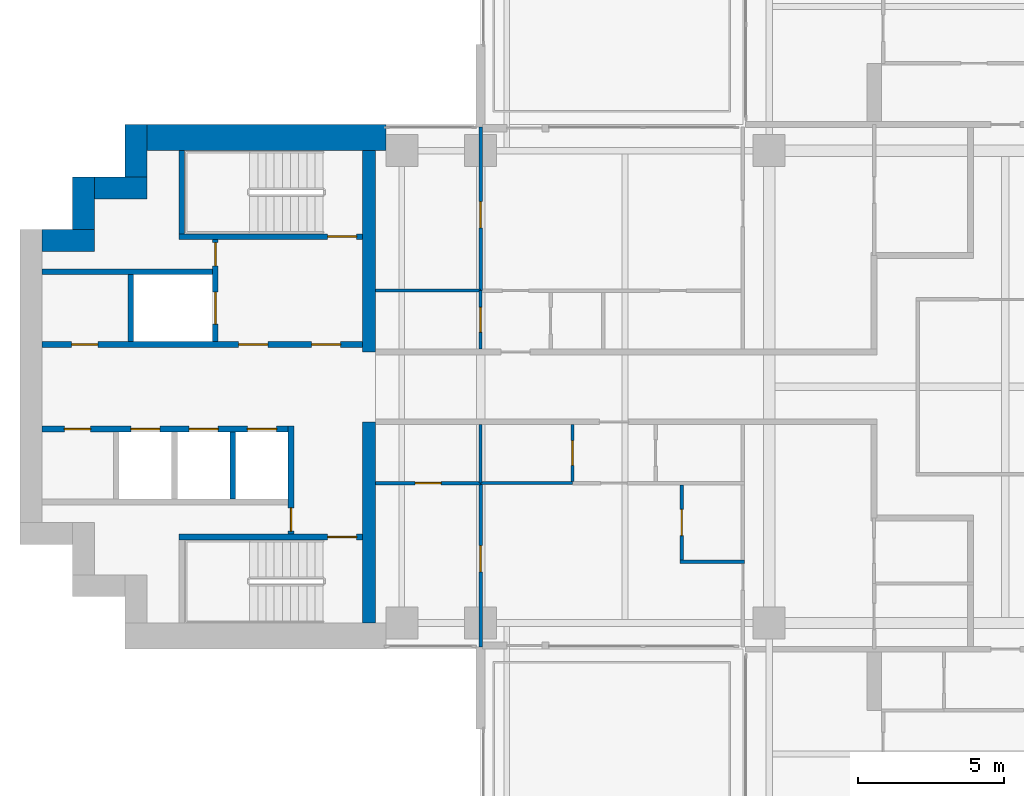
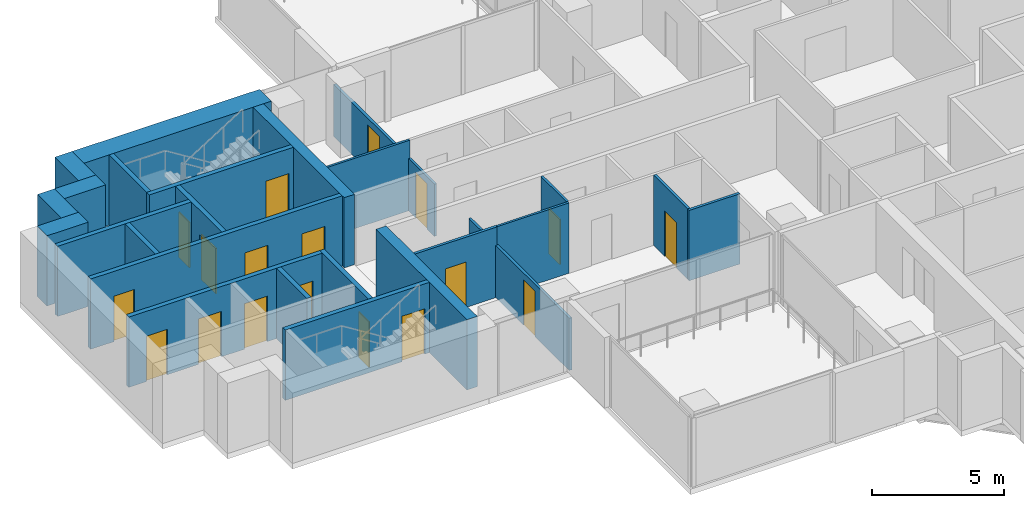
# One storey, part 9 of 19: 27 walls, 18 doors, 18 openings.
"""IFC4 building model written with IfcOpenShell, lengths in metres."""

from ifc_helpers import new_model, si_unit, direction, frame, frame_2d, origin, place, context, subcontext, project, spatial, rectangle, extrude, material, layer, layer_set, type_object, element, fill, save


model = new_model("IFC4")

# Units and contexts
model_context = context("Model", 3, precision=1e-05, world=origin(), true_north=direction((0.0, 1.0)))
body_context = subcontext(model_context, "Body", "Model", "MODEL_VIEW")
ifc_project = project(units=[si_unit("LENGTHUNIT", "METRE"), si_unit("AREAUNIT", "SQUARE_METRE"), si_unit("VOLUMEUNIT", "CUBIC_METRE"), si_unit("PLANEANGLEUNIT", "RADIAN"), si_unit("MASSUNIT", "GRAM", prefix="KILO")], contexts=[model_context])

# Site, building, storey
site_placement = place(None, origin())
site = spatial("IfcSite", under=ifc_project, at=site_placement, CompositionType="ELEMENT")
building_placement = place(site_placement, origin())
building = spatial("IfcBuilding", under=site, at=building_placement, Name="Perihelion Cross Residences", CompositionType="ELEMENT")
storey_placement = place(building_placement, frame((0.0, 0.0, 119.89990234375)))
storey = spatial("IfcBuildingStorey", under=building, at=storey_placement, Name="L28", CompositionType="ELEMENT", Elevation=119.89990234375)

# Walls
ifc_material_1 = material(Name="Concrete C60/75", Category="concrete")
ifc_layer_1 = layer(ifc_material_1, 0.449951171875)
ifc_layer_set_1 = layer_set([ifc_layer_1], Name="Core wall, inner 450")
wall_type_1 = type_object("IfcWallType", Name="Core wall, inner 450", PredefinedType="SHEAR", material=ifc_layer_set_1)
for number, where, z_axis, x_axis, name in (
    (1, (-21.824951171875, -8.10009765625, 0.0), (0.0, 0.0, 1.0), (0.0, 1.0, 0.0), "West core core wall, inner"),
    (2, (-21.824951171875, 1.199951171875, 0.0), (0.0, 0.0, 1.0), (0.0, 1.0, 0.0), "West core core wall, inner"),
):
    element("IfcWall", number, at=place(storey_placement, frame(where, z_axis=z_axis, x_axis=x_axis)), inside=storey, type_object=wall_type_1, Name=name, PredefinedType="SHEAR", context=body_context, shape_type="SweptSolid", body=[
        extrude(rectangle(XDim=6.900146484375, YDim=0.449951171875, at=frame_2d((3.4501953125, 0.0))), origin(), (0.0, 0.0, 1.0), 3.25),
    ])
ifc_material_2 = material(Name="Concrete C60/75", Category="concrete")
ifc_layer_2 = layer(ifc_material_2, 0.75)
ifc_layer_set_2 = layer_set([ifc_layer_2], Name="Core wall, outer 750")
wall_type_2 = type_object("IfcWallType", Name="Core wall, outer 750", PredefinedType="SHEAR", material=ifc_layer_set_2)
for number, where, z_axis, x_axis, name in (
    (3, (-33.050048828125, 5.02490234375, 0.0), (0.0, 0.0, 1.0), (1.0, 0.0, 0.0), "West core core wall, outer"),
    (4, (-31.625, 5.39990234375, 0.0), (0.0, 0.0, 1.0), (0.0, 1.0, 0.0), "West core core wall, outer"),
    (5, (-31.25, 6.824951171875, 0.0), (0.0, 0.0, 1.0), (1.0, 0.0, 0.0), "West core core wall, outer"),
    (6, (-29.824951171875, 7.199951171875, 0.0), (0.0, 0.0, 1.0), (0.0, 1.0, 0.0), "West core core wall, outer"),
):
    element("IfcWall", number, at=place(storey_placement, frame(where, z_axis=z_axis, x_axis=x_axis)), inside=storey, type_object=wall_type_2, Name=name, PredefinedType="SHEAR", context=body_context, shape_type="SweptSolid", body=[
        extrude(rectangle(XDim=1.800048828125, YDim=0.75, at=frame_2d((0.89990234375, 0.0))), origin(), (0.0, 0.0, 1.0), 3.25),
    ])
ifc_material_3 = material(Name="Concrete C60/75", Category="concrete")
ifc_layer_3 = layer(ifc_material_3, 0.89990234375)
ifc_layer_set_3 = layer_set([ifc_layer_3], Name="Core wall, outer 900")
wall_type_3 = type_object("IfcWallType", Name="Core wall, outer 900", PredefinedType="SHEAR", material=ifc_layer_set_3)
wall_1_placement = place(storey_placement, frame((-29.449951171875, 8.550048828125, 0.0), z_axis=(0.0, 0.0, 1.0), x_axis=(1.0, 0.0, 0.0)))
element("IfcWall", 7, at=wall_1_placement, inside=storey, type_object=wall_type_3, Name="West core core wall, outer", PredefinedType="SHEAR", context=body_context, shape_type="SweptSolid", body=[
    extrude(rectangle(XDim=8.199951171875, YDim=0.89990234375, at=frame_2d((4.10009765625, 0.0))), origin(), (0.0, 0.0, 1.0), 3.25),
])

# Wall, opening, door
ifc_material_4 = material(Name="Concrete C50/60", Category="concrete")
ifc_layer_4 = layer(ifc_material_4, 0.199951171875)
ifc_layer_set_4 = layer_set([ifc_layer_4], Name="Lobby wall 200")
wall_type_4 = type_object("IfcWallType", Name="Lobby wall 200", PredefinedType="SOLIDWALL", material=ifc_layer_set_4)
wall_2_placement = place(storey_placement, frame((-24.5, -5.050048828125, 0.0), z_axis=(0.0, 0.0, 1.0), x_axis=(0.0, 1.0, 0.0)))
wall_2 = element("IfcWall", 8, at=wall_2_placement, inside=storey, type_object=wall_type_4, Name="West core lobby wall", PredefinedType="SOLIDWALL", context=body_context, shape_type="SweptSolid", body=[
    extrude(rectangle(XDim=3.699951171875, YDim=0.199951171875, at=frame_2d((1.85009765625, 0.0))), origin(), (0.0, 0.0, 1.0), 3.25),
])
opening_1_placement = place(wall_2_placement, frame((0.10009765625, 0.0, 0.0)))
opening_1 = element("IfcOpeningElement", 9, at=opening_1_placement, cuts=wall_2, Name="Opening L28.C20", PredefinedType="OPENING", context=body_context, shape_type="SweptSolid", body=[
    extrude(rectangle(XDim=0.800048828125, YDim=2.10009765625, at=frame_2d((0.39990234375, 1.050048828125))), frame((0.0, 0.10986328125, 0.0), z_axis=(0.0, -1.0, 0.0), x_axis=(1.0, 0.0, 0.0)), (0.0, 0.0, 1.0), 0.219970703125),
])
ifc_material_5 = material(Name="Steel, powder coated", Category="steel")
door_type_1 = type_object("IfcDoorType", Name="Riser door 800", OperationType="SINGLE_SWING_LEFT", PredefinedType="DOOR", material=ifc_material_5)
door_1_placement = place(opening_1_placement, origin())
door_1 = element("IfcDoor", 10, at=door_1_placement, inside=storey, type_object=door_type_1, Name="West core riser door", OperationType="SINGLE_SWING_LEFT", OverallHeight=2.10009765625, OverallWidth=0.800048828125, PredefinedType="DOOR", context=body_context, shape_type="SweptSolid", body=[
    extrude(rectangle(XDim=0.800048828125, YDim=2.10009765625, at=frame_2d((0.39990234375, 1.050048828125))), frame((0.0, 0.02490234375, 0.0), z_axis=(0.0, -1.0, 0.0), x_axis=(1.0, 0.0, 0.0)), (0.0, 0.0, 1.0), 0.050048828125),
])
fill(opening_1, door_1)

ifc_material_6 = material(Name="Plasterboard partition")
ifc_layer_5 = layer(ifc_material_6, 0.1201171875)
ifc_layer_set_5 = layer_set([ifc_layer_5], Name="Partition wall 120")
wall_type_5 = type_object("IfcWallType", Name="Partition wall 120", PredefinedType="PARTITIONING", material=ifc_layer_set_5)
wall_3_placement = place(storey_placement, frame((-18.0, 3.300048828125, 0.0), z_axis=(0.0, 0.0, 1.0), x_axis=(0.0, 1.0, 0.0)))
wall_3 = element("IfcWall", 11, at=wall_3_placement, inside=storey, type_object=wall_type_5, Name="Partition L28 W051", PredefinedType="PARTITIONING", context=body_context, shape_type="SweptSolid", body=[
    extrude(rectangle(XDim=5.619873046875, YDim=0.1201171875, at=frame_2d((2.81005859375, 0.0))), origin(), (0.0, 0.0, 1.0), 2.4140625),
])
opening_2_placement = place(wall_3_placement, frame((2.14990234375, 0.0, 0.0)))
opening_2 = element("IfcOpeningElement", 12, at=opening_2_placement, cuts=wall_3, Name="Opening L28.A24", PredefinedType="OPENING", context=body_context, shape_type="SweptSolid", body=[
    extrude(rectangle(XDim=0.89990234375, YDim=2.10009765625, at=frame_2d((0.449951171875, 1.050048828125))), frame((0.0, 0.070068359375, 0.0), z_axis=(0.0, -1.0, 0.0), x_axis=(1.0, 0.0, 0.0)), (0.0, 0.0, 1.0), 0.14013671875),
])
ifc_material_7 = material(Name="Timber door leaf", Category="wood")
door_type_2 = type_object("IfcDoorType", Name="Interior room door 900 x 2100", OperationType="SINGLE_SWING_LEFT", PredefinedType="DOOR", material=ifc_material_7)
door_2_placement = place(opening_2_placement, origin())
door_2 = element("IfcDoor", 13, at=door_2_placement, inside=storey, type_object=door_type_2, Name="Door L28.A24", OperationType="SINGLE_SWING_LEFT", OverallHeight=2.10009765625, OverallWidth=0.89990234375, PredefinedType="DOOR", context=body_context, shape_type="SweptSolid", body=[
    extrude(rectangle(XDim=0.89990234375, YDim=2.10009765625, at=frame_2d((0.449951171875, 1.050048828125))), frame((0.0, 0.02490234375, 0.0), z_axis=(0.0, -1.0, 0.0), x_axis=(1.0, 0.0, 0.0)), (0.0, 0.0, 1.0), 0.050048828125),
])
fill(opening_2, door_2)

wall_4_placement = place(storey_placement, frame((-18.0, -3.300048828125, 0.0), z_axis=(0.0, 0.0, 1.0), x_axis=(-1.0, 0.0, 0.0)))
wall_4 = element("IfcWall", 14, at=wall_4_placement, inside=storey, type_object=wall_type_5, Name="Partition L28 W059", PredefinedType="PARTITIONING", context=body_context, shape_type="SweptSolid", body=[
    extrude(rectangle(XDim=3.60009765625, YDim=0.1201171875, at=frame_2d((1.800048828125, 0.0))), origin(), (0.0, 0.0, 1.0), 3.25),
])
opening_3_placement = place(wall_4_placement, frame((1.35009765625, 0.0, 0.0)))
opening_3 = element("IfcOpeningElement", 15, at=opening_3_placement, cuts=wall_4, Name="Opening L28.A33", PredefinedType="OPENING", context=body_context, shape_type="SweptSolid", body=[
    extrude(rectangle(XDim=0.89990234375, YDim=2.10009765625, at=frame_2d((0.449951171875, 1.050048828125))), frame((0.0, 0.070068359375, 0.0), z_axis=(0.0, -1.0, 0.0), x_axis=(1.0, 0.0, 0.0)), (0.0, 0.0, 1.0), 0.14013671875),
])
door_3_placement = place(opening_3_placement, origin())
door_3 = element("IfcDoor", 16, at=door_3_placement, inside=storey, type_object=door_type_2, Name="Door L28.A33", OperationType="SINGLE_SWING_LEFT", OverallHeight=2.10009765625, OverallWidth=0.89990234375, PredefinedType="DOOR", context=body_context, shape_type="SweptSolid", body=[
    extrude(rectangle(XDim=0.89990234375, YDim=2.10009765625, at=frame_2d((0.449951171875, 1.050048828125))), frame((0.0, 0.02490234375, 0.0), z_axis=(0.0, -1.0, 0.0), x_axis=(1.0, 0.0, 0.0)), (0.0, 0.0, 1.0), 0.050048828125),
])
fill(opening_3, door_3)

wall_5_placement = place(storey_placement, frame((-11.10009765625, -3.360107421875, 0.0), z_axis=(0.0, 0.0, 1.0), x_axis=(0.0, -1.0, 0.0)))
wall_5 = element("IfcWall", 17, at=wall_5_placement, inside=storey, type_object=wall_type_5, Name="Partition L28 W060", PredefinedType="PARTITIONING", context=body_context, shape_type="SweptSolid", body=[
    extrude(rectangle(XDim=2.579833984375, YDim=0.1201171875, at=frame_2d((1.2900390625, 0.0))), origin(), (0.0, 0.0, 1.0), 3.25),
])
opening_4_placement = place(wall_5_placement, frame((0.840087890625, 0.0, 0.0)))
opening_4 = element("IfcOpeningElement", 18, at=opening_4_placement, cuts=wall_5, Name="Opening L28.A30", PredefinedType="OPENING", context=body_context, shape_type="SweptSolid", body=[
    extrude(rectangle(XDim=0.89990234375, YDim=2.10009765625, at=frame_2d((0.449951171875, 1.050048828125))), frame((0.0, 0.070068359375, 0.0), z_axis=(0.0, -1.0, 0.0), x_axis=(1.0, 0.0, 0.0)), (0.0, 0.0, 1.0), 0.14013671875),
])
door_4_placement = place(opening_4_placement, origin())
door_4 = element("IfcDoor", 19, at=door_4_placement, inside=storey, type_object=door_type_2, Name="Door L28.A30", OperationType="SINGLE_SWING_RIGHT", OverallHeight=2.10009765625, OverallWidth=0.89990234375, PredefinedType="DOOR", context=body_context, shape_type="SweptSolid", body=[
    extrude(rectangle(XDim=0.89990234375, YDim=2.10009765625, at=frame_2d((0.449951171875, 1.050048828125))), frame((0.0, 0.02490234375, 0.0), z_axis=(0.0, -1.0, 0.0), x_axis=(1.0, 0.0, 0.0)), (0.0, 0.0, 1.0), 0.050048828125),
])
fill(opening_4, door_4)

# Wall
wall_6_placement = place(storey_placement, frame((-11.159912109375, -6.0, 0.0), z_axis=(0.0, 0.0, 1.0), x_axis=(1.0, 0.0, 0.0)))
element("IfcWall", 20, at=wall_6_placement, inside=storey, type_object=wall_type_5, Name="Partition L28 W061", PredefinedType="PARTITIONING", context=body_context, shape_type="SweptSolid", body=[
    extrude(rectangle(XDim=2.219970703125, YDim=0.1201171875, at=frame_2d((1.10986328125, 0.0))), origin(), (0.0, 0.0, 1.0), 3.25),
])

# Wall, opening, door
wall_7_placement = place(storey_placement, frame((-18.0, -8.919921875, 0.0), z_axis=(0.0, 0.0, 1.0), x_axis=(0.0, 1.0, 0.0)))
wall_7 = element("IfcWall", 21, at=wall_7_placement, inside=storey, type_object=wall_type_5, Name="Partition L28 W062", PredefinedType="PARTITIONING", context=body_context, shape_type="SweptSolid", body=[
    extrude(rectangle(XDim=5.619873046875, YDim=0.1201171875, at=frame_2d((2.81005859375, 0.0))), origin(), (0.0, 0.0, 1.0), 2.4140625),
])
opening_5_placement = place(wall_7_placement, frame((2.570068359375, 0.0, 0.0)))
opening_5 = element("IfcOpeningElement", 22, at=opening_5_placement, cuts=wall_7, Name="Opening L28.A32", PredefinedType="OPENING", context=body_context, shape_type="SweptSolid", body=[
    extrude(rectangle(XDim=0.89990234375, YDim=2.10009765625, at=frame_2d((0.449951171875, 1.050048828125))), frame((0.0, 0.070068359375, 0.0), z_axis=(0.0, -1.0, 0.0), x_axis=(1.0, 0.0, 0.0)), (0.0, 0.0, 1.0), 0.14013671875),
])
door_5_placement = place(opening_5_placement, origin())
door_5 = element("IfcDoor", 23, at=door_5_placement, inside=storey, type_object=door_type_2, Name="Door L28.A32", OperationType="SINGLE_SWING_LEFT", OverallHeight=2.10009765625, OverallWidth=0.89990234375, PredefinedType="DOOR", context=body_context, shape_type="SweptSolid", body=[
    extrude(rectangle(XDim=0.89990234375, YDim=2.10009765625, at=frame_2d((0.449951171875, 1.050048828125))), frame((0.0, 0.02490234375, 0.0), z_axis=(0.0, -1.0, 0.0), x_axis=(1.0, 0.0, 0.0)), (0.0, 0.0, 1.0), 0.050048828125),
])
fill(opening_5, door_5)

# Wall, openings, doors
ifc_material_8 = material(Name="Concrete C50/60", Category="concrete")
ifc_layer_6 = layer(ifc_material_8, 0.199951171875)
ifc_layer_set_6 = layer_set([ifc_layer_6], Name="Shaft wall 200")
wall_type_6 = type_object("IfcWallType", Name="Shaft wall 200", PredefinedType="SOLIDWALL", material=ifc_layer_set_6)
wall_8_placement = place(storey_placement, frame((-33.050048828125, 1.449951171875, 0.0), z_axis=(0.0, 0.0, 1.0), x_axis=(1.0, 0.0, 0.0)))
wall_8 = element("IfcWall", 24, at=wall_8_placement, inside=storey, type_object=wall_type_6, Name="West core shaft wall", PredefinedType="SOLIDWALL", context=body_context, shape_type="SweptSolid", body=[
    extrude(rectangle(XDim=11.0, YDim=0.199951171875, at=frame_2d((5.5, 0.0))), origin(), (0.0, 0.0, 1.0), 3.25),
])
opening_6_placement = place(wall_8_placement, frame((9.25, 0.0, 0.0)))
opening_6 = element("IfcOpeningElement", 25, at=opening_6_placement, cuts=wall_8, Name="Opening L28.C19", PredefinedType="OPENING", context=body_context, shape_type="SweptSolid", body=[
    extrude(rectangle(XDim=1.0, YDim=2.10009765625, at=frame_2d((0.5, 1.050048828125))), frame((0.0, 0.10986328125, 0.0), z_axis=(0.0, -1.0, 0.0), x_axis=(1.0, 0.0, 0.0)), (0.0, 0.0, 1.0), 0.219970703125),
])
opening_7_placement = place(wall_8_placement, frame((6.75, 0.0, 0.0)))
opening_7 = element("IfcOpeningElement", 26, at=opening_7_placement, cuts=wall_8, Name="Opening L28.C21", PredefinedType="OPENING", context=body_context, shape_type="SweptSolid", body=[
    extrude(rectangle(XDim=1.0, YDim=2.10009765625, at=frame_2d((0.5, 1.050048828125))), frame((0.0, 0.10986328125, 0.0), z_axis=(0.0, -1.0, 0.0), x_axis=(1.0, 0.0, 0.0)), (0.0, 0.0, 1.0), 0.219970703125),
])
opening_8_placement = place(wall_8_placement, frame((1.02490234375, 0.0, 0.0)))
opening_8 = element("IfcOpeningElement", 27, at=opening_8_placement, cuts=wall_8, Name="Opening L28.C23", PredefinedType="OPENING", context=body_context, shape_type="SweptSolid", body=[
    extrude(rectangle(XDim=0.89990234375, YDim=2.10009765625, at=frame_2d((0.449951171875, 1.050048828125))), frame((0.0, 0.10986328125, 0.0), z_axis=(0.0, -1.0, 0.0), x_axis=(1.0, 0.0, 0.0)), (0.0, 0.0, 1.0), 0.219970703125),
])
ifc_material_9 = material(Name="Steel, powder coated", Category="steel")
door_type_3 = type_object("IfcDoorType", Name="Lobby door 1000", OperationType="SINGLE_SWING_LEFT", PredefinedType="DOOR", material=ifc_material_9)
door_6_placement = place(opening_6_placement, origin())
door_6 = element("IfcDoor", 28, at=door_6_placement, inside=storey, type_object=door_type_3, Name="West core firefighting lobby door", OperationType="SINGLE_SWING_LEFT", OverallHeight=2.10009765625, OverallWidth=1.0, PredefinedType="DOOR", context=body_context, shape_type="SweptSolid", body=[
    extrude(rectangle(XDim=1.0, YDim=2.10009765625, at=frame_2d((0.5, 1.050048828125))), frame((0.0, 0.02490234375, 0.0), z_axis=(0.0, -1.0, 0.0), x_axis=(1.0, 0.0, 0.0)), (0.0, 0.0, 1.0), 0.050048828125),
])
fill(opening_6, door_6)
door_7_placement = place(opening_7_placement, origin())
door_7 = element("IfcDoor", 29, at=door_7_placement, inside=storey, type_object=door_type_3, Name="West core firefighting lobby door", OperationType="SINGLE_SWING_LEFT", OverallHeight=2.10009765625, OverallWidth=1.0, PredefinedType="DOOR", context=body_context, shape_type="SweptSolid", body=[
    extrude(rectangle(XDim=1.0, YDim=2.10009765625, at=frame_2d((0.5, 1.050048828125))), frame((0.0, 0.02490234375, 0.0), z_axis=(0.0, -1.0, 0.0), x_axis=(1.0, 0.0, 0.0)), (0.0, 0.0, 1.0), 0.050048828125),
])
fill(opening_7, door_7)
ifc_material_10 = material(Name="Steel, powder coated", Category="steel")
door_type_4 = type_object("IfcDoorType", Name="Service room door 900", OperationType="SINGLE_SWING_LEFT", PredefinedType="DOOR", material=ifc_material_10)
door_8_placement = place(opening_8_placement, origin())
door_8 = element("IfcDoor", 30, at=door_8_placement, inside=storey, type_object=door_type_4, Name="West core service room door", OperationType="SINGLE_SWING_LEFT", OverallHeight=2.10009765625, OverallWidth=0.89990234375, PredefinedType="DOOR", context=body_context, shape_type="SweptSolid", body=[
    extrude(rectangle(XDim=0.89990234375, YDim=2.10009765625, at=frame_2d((0.449951171875, 1.050048828125))), frame((0.0, 0.02490234375, 0.0), z_axis=(0.0, -1.0, 0.0), x_axis=(1.0, 0.0, 0.0)), (0.0, 0.0, 1.0), 0.050048828125),
])
fill(opening_8, door_8)

wall_9_placement = place(storey_placement, frame((-33.050048828125, -1.449951171875, 0.0), z_axis=(0.0, 0.0, 1.0), x_axis=(1.0, 0.0, 0.0)))
wall_9 = element("IfcWall", 31, at=wall_9_placement, inside=storey, type_object=wall_type_6, Name="West core shaft wall", PredefinedType="SOLIDWALL", context=body_context, shape_type="SweptSolid", body=[
    extrude(rectangle(XDim=8.449951171875, YDim=0.199951171875, at=frame_2d((4.22509765625, 0.0))), origin(), (0.0, 0.0, 1.0), 3.25),
])
opening_9_placement = place(wall_9_placement, frame((7.050048828125, 0.0, 0.0)))
opening_9 = element("IfcOpeningElement", 32, at=opening_9_placement, cuts=wall_9, Name="Opening L28.C13", PredefinedType="OPENING", context=body_context, shape_type="SweptSolid", body=[
    extrude(rectangle(XDim=1.0, YDim=2.10009765625, at=frame_2d((0.5, 1.050048828125))), frame((0.0, 0.10986328125, 0.0), z_axis=(0.0, -1.0, 0.0), x_axis=(1.0, 0.0, 0.0)), (0.0, 0.0, 1.0), 0.219970703125),
])
opening_10_placement = place(wall_9_placement, frame((5.050048828125, 0.0, 0.0)))
opening_10 = element("IfcOpeningElement", 33, at=opening_10_placement, cuts=wall_9, Name="Opening L28.C15", PredefinedType="OPENING", context=body_context, shape_type="SweptSolid", body=[
    extrude(rectangle(XDim=1.0, YDim=2.10009765625, at=frame_2d((0.5, 1.050048828125))), frame((0.0, 0.10986328125, 0.0), z_axis=(0.0, -1.0, 0.0), x_axis=(1.0, 0.0, 0.0)), (0.0, 0.0, 1.0), 0.219970703125),
])
opening_11_placement = place(wall_9_placement, frame((3.050048828125, 0.0, 0.0)))
opening_11 = element("IfcOpeningElement", 34, at=opening_11_placement, cuts=wall_9, Name="Opening L28.C16", PredefinedType="OPENING", context=body_context, shape_type="SweptSolid", body=[
    extrude(rectangle(XDim=1.0, YDim=2.10009765625, at=frame_2d((0.5, 1.050048828125))), frame((0.0, 0.10986328125, 0.0), z_axis=(0.0, -1.0, 0.0), x_axis=(1.0, 0.0, 0.0)), (0.0, 0.0, 1.0), 0.219970703125),
])
opening_12_placement = place(wall_9_placement, frame((0.77490234375, 0.0, 0.0)))
opening_12 = element("IfcOpeningElement", 35, at=opening_12_placement, cuts=wall_9, Name="Opening L28.C24", PredefinedType="OPENING", context=body_context, shape_type="SweptSolid", body=[
    extrude(rectangle(XDim=0.89990234375, YDim=2.10009765625, at=frame_2d((0.449951171875, 1.050048828125))), frame((0.0, 0.10986328125, 0.0), z_axis=(0.0, -1.0, 0.0), x_axis=(1.0, 0.0, 0.0)), (0.0, 0.0, 1.0), 0.219970703125),
])
ifc_material_11 = material(Name="Stainless steel", Category="steel")
door_type_5 = type_object("IfcDoorType", Name="Landing door 1000", OperationType="DOUBLE_DOOR_SLIDING", PredefinedType="DOOR", material=ifc_material_11)
door_9_placement = place(opening_9_placement, origin())
door_9 = element("IfcDoor", 36, at=door_9_placement, inside=storey, type_object=door_type_5, Name="Landing door, West core high-rise lift 1", OperationType="DOUBLE_DOOR_SLIDING", OverallHeight=2.10009765625, OverallWidth=1.0, PredefinedType="DOOR", context=body_context, shape_type="SweptSolid", body=[
    extrude(rectangle(XDim=1.0, YDim=2.10009765625, at=frame_2d((0.5, 1.050048828125))), frame((0.0, 0.02490234375, 0.0), z_axis=(0.0, -1.0, 0.0), x_axis=(1.0, 0.0, 0.0)), (0.0, 0.0, 1.0), 0.050048828125),
])
fill(opening_9, door_9)
door_10_placement = place(opening_10_placement, origin())
door_10 = element("IfcDoor", 37, at=door_10_placement, inside=storey, type_object=door_type_5, Name="Landing door, West core high-rise lift 2", OperationType="DOUBLE_DOOR_SLIDING", OverallHeight=2.10009765625, OverallWidth=1.0, PredefinedType="DOOR", context=body_context, shape_type="SweptSolid", body=[
    extrude(rectangle(XDim=1.0, YDim=2.10009765625, at=frame_2d((0.5, 1.050048828125))), frame((0.0, 0.02490234375, 0.0), z_axis=(0.0, -1.0, 0.0), x_axis=(1.0, 0.0, 0.0)), (0.0, 0.0, 1.0), 0.050048828125),
])
fill(opening_10, door_10)
door_11_placement = place(opening_11_placement, origin())
door_11 = element("IfcDoor", 38, at=door_11_placement, inside=storey, type_object=door_type_5, Name="Landing door, West core high-rise lift 3", OperationType="DOUBLE_DOOR_SLIDING", OverallHeight=2.10009765625, OverallWidth=1.0, PredefinedType="DOOR", context=body_context, shape_type="SweptSolid", body=[
    extrude(rectangle(XDim=1.0, YDim=2.10009765625, at=frame_2d((0.5, 1.050048828125))), frame((0.0, 0.02490234375, 0.0), z_axis=(0.0, -1.0, 0.0), x_axis=(1.0, 0.0, 0.0)), (0.0, 0.0, 1.0), 0.050048828125),
])
fill(opening_11, door_11)
door_12_placement = place(opening_12_placement, origin())
door_12 = element("IfcDoor", 39, at=door_12_placement, inside=storey, type_object=door_type_4, Name="West core service room door", OperationType="SINGLE_SWING_LEFT", OverallHeight=2.10009765625, OverallWidth=0.89990234375, PredefinedType="DOOR", context=body_context, shape_type="SweptSolid", body=[
    extrude(rectangle(XDim=0.89990234375, YDim=2.10009765625, at=frame_2d((0.449951171875, 1.050048828125))), frame((0.0, 0.02490234375, 0.0), z_axis=(0.0, -1.0, 0.0), x_axis=(1.0, 0.0, 0.0)), (0.0, 0.0, 1.0), 0.050048828125),
])
fill(opening_12, door_12)

# Wall
wall_10_placement = place(storey_placement, frame((-33.050048828125, 3.949951171875, 0.0), z_axis=(0.0, 0.0, 1.0), x_axis=(1.0, 0.0, 0.0)))
element("IfcWall", 40, at=wall_10_placement, inside=storey, type_object=wall_type_6, Name="West core shaft wall", PredefinedType="SOLIDWALL", context=body_context, shape_type="SweptSolid", body=[
    extrude(rectangle(XDim=5.85009765625, YDim=0.199951171875, at=frame_2d((2.925048828125, 0.0))), origin(), (0.0, 0.0, 1.0), 3.25),
])

# Wall, openings, doors
wall_11_placement = place(storey_placement, frame((-27.10009765625, 1.550048828125, 0.0), z_axis=(0.0, 0.0, 1.0), x_axis=(0.0, 1.0, 0.0)))
wall_11 = element("IfcWall", 41, at=wall_11_placement, inside=storey, type_object=wall_type_6, Name="West core shaft wall", PredefinedType="SOLIDWALL", context=body_context, shape_type="SweptSolid", body=[
    extrude(rectangle(XDim=3.5, YDim=0.199951171875, at=frame_2d((1.75, 0.0))), origin(), (0.0, 0.0, 1.0), 3.25),
])
opening_13_placement = place(wall_11_placement, frame((0.60009765625, 0.0, 0.0)))
opening_13 = element("IfcOpeningElement", 42, at=opening_13_placement, cuts=wall_11, Name="Opening L28.C14", PredefinedType="OPENING", context=body_context, shape_type="SweptSolid", body=[
    extrude(rectangle(XDim=1.10009765625, YDim=2.10009765625, at=frame_2d((0.550048828125, 1.050048828125))), frame((0.0, 0.10986328125, 0.0), z_axis=(0.0, -1.0, 0.0), x_axis=(1.0, 0.0, 0.0)), (0.0, 0.0, 1.0), 0.219970703125),
])
opening_14_placement = place(wall_11_placement, frame((2.60009765625, 0.0, 0.0)))
opening_14 = element("IfcOpeningElement", 43, at=opening_14_placement, cuts=wall_11, Name="Opening L28.C22", PredefinedType="OPENING", context=body_context, shape_type="SweptSolid", body=[
    extrude(rectangle(XDim=0.800048828125, YDim=2.10009765625, at=frame_2d((0.39990234375, 1.050048828125))), frame((0.0, 0.10986328125, 0.0), z_axis=(0.0, -1.0, 0.0), x_axis=(1.0, 0.0, 0.0)), (0.0, 0.0, 1.0), 0.219970703125),
])
ifc_material_12 = material(Name="Stainless steel", Category="steel")
door_type_6 = type_object("IfcDoorType", Name="Landing door, firefighting lift 1100", OperationType="DOUBLE_DOOR_SLIDING", PredefinedType="DOOR", material=ifc_material_12)
door_13_placement = place(opening_13_placement, origin())
door_13 = element("IfcDoor", 44, at=door_13_placement, inside=storey, type_object=door_type_6, Name="Landing door, West core firefighting and service lift", OperationType="DOUBLE_DOOR_SLIDING", OverallHeight=2.10009765625, OverallWidth=1.10009765625, PredefinedType="DOOR", context=body_context, shape_type="SweptSolid", body=[
    extrude(rectangle(XDim=1.10009765625, YDim=2.10009765625, at=frame_2d((0.550048828125, 1.050048828125))), frame((0.0, 0.02490234375, 0.0), z_axis=(0.0, -1.0, 0.0), x_axis=(1.0, 0.0, 0.0)), (0.0, 0.0, 1.0), 0.050048828125),
])
fill(opening_13, door_13)
door_14_placement = place(opening_14_placement, origin())
door_14 = element("IfcDoor", 45, at=door_14_placement, inside=storey, type_object=door_type_1, Name="West core riser door", OperationType="SINGLE_SWING_LEFT", OverallHeight=2.10009765625, OverallWidth=0.800048828125, PredefinedType="DOOR", context=body_context, shape_type="SweptSolid", body=[
    extrude(rectangle(XDim=0.800048828125, YDim=2.10009765625, at=frame_2d((0.39990234375, 1.050048828125))), frame((0.0, 0.02490234375, 0.0), z_axis=(0.0, -1.0, 0.0), x_axis=(1.0, 0.0, 0.0)), (0.0, 0.0, 1.0), 0.050048828125),
])
fill(opening_14, door_14)

# Walls
for number, where, z_axis, x_axis, name in (
    (46, (-30.0, 1.550048828125, 0.0), (0.0, 0.0, 1.0), (0.0, 1.0, 0.0), "West core shaft wall"),
    (47, (-26.5, -3.85009765625, 0.0), (0.0, 0.0, 1.0), (0.0, 1.0, 0.0), "West core shaft wall"),
):
    element("IfcWall", number, at=place(storey_placement, frame(where, z_axis=z_axis, x_axis=x_axis)), inside=storey, type_object=wall_type_6, Name=name, PredefinedType="SOLIDWALL", context=body_context, shape_type="SweptSolid", body=[
        extrude(rectangle(XDim=2.300048828125, YDim=0.199951171875, at=frame_2d((1.14990234375, 0.0))), origin(), (0.0, 0.0, 1.0), 3.25),
    ])

# Wall, opening, door
ifc_material_13 = material(Name="Concrete C50/60", Category="concrete")
ifc_layer_7 = layer(ifc_material_13, 0.199951171875)
ifc_layer_set_7 = layer_set([ifc_layer_7], Name="Stair wall 200")
wall_type_7 = type_object("IfcWallType", Name="Stair wall 200", PredefinedType="SOLIDWALL", material=ifc_layer_set_7)
wall_12_placement = place(storey_placement, frame((-28.35009765625, 5.14990234375, 0.0), z_axis=(0.0, 0.0, 1.0), x_axis=(1.0, 0.0, 0.0)))
wall_12 = element("IfcWall", 48, at=wall_12_placement, inside=storey, type_object=wall_type_7, Name="West core stair wall", PredefinedType="SOLIDWALL", context=body_context, shape_type="SweptSolid", body=[
    extrude(rectangle(XDim=6.300048828125, YDim=0.199951171875, at=frame_2d((3.14990234375, 0.0))), origin(), (0.0, 0.0, 1.0), 3.25),
])
opening_15_placement = place(wall_12_placement, frame((5.10009765625, 0.0, 0.0)))
opening_15 = element("IfcOpeningElement", 49, at=opening_15_placement, cuts=wall_12, Name="Opening L28.C18", PredefinedType="OPENING", context=body_context, shape_type="SweptSolid", body=[
    extrude(rectangle(XDim=1.0, YDim=2.10009765625, at=frame_2d((0.5, 1.050048828125))), frame((0.0, 0.10986328125, 0.0), z_axis=(0.0, -1.0, 0.0), x_axis=(1.0, 0.0, 0.0)), (0.0, 0.0, 1.0), 0.219970703125),
])
ifc_material_14 = material(Name="Steel, powder coated", Category="steel")
door_type_7 = type_object("IfcDoorType", Name="Stair door 1000", OperationType="SINGLE_SWING_LEFT", PredefinedType="DOOR", material=ifc_material_14)
door_15_placement = place(opening_15_placement, origin())
door_15 = element("IfcDoor", 50, at=door_15_placement, inside=storey, type_object=door_type_7, Name="West core stair door", OperationType="SINGLE_SWING_LEFT", OverallHeight=2.10009765625, OverallWidth=1.0, PredefinedType="DOOR", context=body_context, shape_type="SweptSolid", body=[
    extrude(rectangle(XDim=1.0, YDim=2.10009765625, at=frame_2d((0.5, 1.050048828125))), frame((0.0, 0.02490234375, 0.0), z_axis=(0.0, -1.0, 0.0), x_axis=(1.0, 0.0, 0.0)), (0.0, 0.0, 1.0), 0.050048828125),
])
fill(opening_15, door_15)

wall_13_placement = place(storey_placement, frame((-28.35009765625, -5.14990234375, 0.0), z_axis=(0.0, 0.0, 1.0), x_axis=(1.0, 0.0, 0.0)))
wall_13 = element("IfcWall", 51, at=wall_13_placement, inside=storey, type_object=wall_type_7, Name="West core stair wall", PredefinedType="SOLIDWALL", context=body_context, shape_type="SweptSolid", body=[
    extrude(rectangle(XDim=6.300048828125, YDim=0.199951171875, at=frame_2d((3.14990234375, 0.0))), origin(), (0.0, 0.0, 1.0), 3.25),
])
opening_16_placement = place(wall_13_placement, frame((5.10009765625, 0.0, 0.0)))
opening_16 = element("IfcOpeningElement", 52, at=opening_16_placement, cuts=wall_13, Name="Opening L28.C17", PredefinedType="OPENING", context=body_context, shape_type="SweptSolid", body=[
    extrude(rectangle(XDim=1.0, YDim=2.10009765625, at=frame_2d((0.5, 1.050048828125))), frame((0.0, 0.10986328125, 0.0), z_axis=(0.0, -1.0, 0.0), x_axis=(1.0, 0.0, 0.0)), (0.0, 0.0, 1.0), 0.219970703125),
])
door_16_placement = place(opening_16_placement, origin())
door_16 = element("IfcDoor", 53, at=door_16_placement, inside=storey, type_object=door_type_7, Name="West core stair door", OperationType="SINGLE_SWING_LEFT", OverallHeight=2.10009765625, OverallWidth=1.0, PredefinedType="DOOR", context=body_context, shape_type="SweptSolid", body=[
    extrude(rectangle(XDim=1.0, YDim=2.10009765625, at=frame_2d((0.5, 1.050048828125))), frame((0.0, 0.02490234375, 0.0), z_axis=(0.0, -1.0, 0.0), x_axis=(1.0, 0.0, 0.0)), (0.0, 0.0, 1.0), 0.050048828125),
])
fill(opening_16, door_16)

# Wall
wall_14_placement = place(storey_placement, frame((-28.25, 5.25, 0.0), z_axis=(0.0, 0.0, 1.0), x_axis=(0.0, 1.0, 0.0)))
element("IfcWall", 54, at=wall_14_placement, inside=storey, type_object=wall_type_7, Name="West core stair wall", PredefinedType="SOLIDWALL", context=body_context, shape_type="SweptSolid", body=[
    extrude(rectangle(XDim=2.85009765625, YDim=0.199951171875, at=frame_2d((1.425048828125, 0.0))), origin(), (0.0, 0.0, 1.0), 3.25),
])

# Wall, opening, door
ifc_material_15 = material(Name="Plasterboard partition")
ifc_layer_8 = layer(ifc_material_15, 0.10009765625)
ifc_layer_set_8 = layer_set([ifc_layer_8], Name="Wet room wall 100")
wall_type_8 = type_object("IfcWallType", Name="Wet room wall 100", PredefinedType="PARTITIONING", material=ifc_layer_set_8)
wall_15_placement = place(storey_placement, frame((-18.0, 1.300048828125, 0.0), z_axis=(0.0, 0.0, 1.0), x_axis=(0.0, 1.0, 0.0)))
wall_15 = element("IfcWall", 55, at=wall_15_placement, inside=storey, type_object=wall_type_8, Name="Partition L28 W049", PredefinedType="PARTITIONING", context=body_context, shape_type="SweptSolid", body=[
    extrude(rectangle(XDim=2.0, YDim=0.10009765625, at=frame_2d((1.0, 0.0))), origin(), (0.0, 0.0, 1.0), 2.4140625),
])
opening_17_placement = place(wall_15_placement, frame((0.574951171875, 0.0, 0.0)))
opening_17 = element("IfcOpeningElement", 56, at=opening_17_placement, cuts=wall_15, Name="Opening L28.A19", PredefinedType="OPENING", context=body_context, shape_type="SweptSolid", body=[
    extrude(rectangle(XDim=0.85009765625, YDim=2.10009765625, at=frame_2d((0.425048828125, 1.050048828125))), frame((0.0, 0.06005859375, 0.0), z_axis=(0.0, -1.0, 0.0), x_axis=(1.0, 0.0, 0.0)), (0.0, 0.0, 1.0), 0.1201171875),
])
ifc_material_16 = material(Name="Timber door leaf", Category="wood")
door_type_8 = type_object("IfcDoorType", Name="Interior bathroom door 850 x 2100", OperationType="SINGLE_SWING_LEFT", PredefinedType="DOOR", material=ifc_material_16)
door_17_placement = place(opening_17_placement, origin())
door_17 = element("IfcDoor", 57, at=door_17_placement, inside=storey, type_object=door_type_8, Name="Door L28.A19", OperationType="SINGLE_SWING_RIGHT", OverallHeight=2.10009765625, OverallWidth=0.85009765625, PredefinedType="DOOR", context=body_context, shape_type="SweptSolid", body=[
    extrude(rectangle(XDim=0.85009765625, YDim=2.10009765625, at=frame_2d((0.425048828125, 1.050048828125))), frame((0.0, 0.02490234375, 0.0), z_axis=(0.0, -1.0, 0.0), x_axis=(1.0, 0.0, 0.0)), (0.0, 0.0, 1.0), 0.050048828125),
])
fill(opening_17, door_17)

# Wall
wall_16_placement = place(storey_placement, frame((-21.60009765625, 3.300048828125, 0.0), z_axis=(0.0, 0.0, 1.0), x_axis=(1.0, 0.0, 0.0)))
element("IfcWall", 58, at=wall_16_placement, inside=storey, type_object=wall_type_8, Name="Partition L28 W050", PredefinedType="PARTITIONING", context=body_context, shape_type="SweptSolid", body=[
    extrude(rectangle(XDim=3.60009765625, YDim=0.10009765625, at=frame_2d((1.800048828125, 0.0))), origin(), (0.0, 0.0, 1.0), 3.25),
])

# Wall, opening, door
wall_17_placement = place(storey_placement, frame((-14.85009765625, -3.239990234375, 0.0), z_axis=(0.0, 0.0, 1.0), x_axis=(0.0, 1.0, 0.0)))
wall_17 = element("IfcWall", 59, at=wall_17_placement, inside=storey, type_object=wall_type_8, Name="Partition L28 W056", PredefinedType="PARTITIONING", context=body_context, shape_type="SweptSolid", body=[
    extrude(rectangle(XDim=1.93994140625, YDim=0.10009765625, at=frame_2d((0.969970703125, 0.0))), origin(), (0.0, 0.0, 1.0), 3.25),
])
opening_18_placement = place(wall_17_placement, frame((0.544921875, 0.0, 0.0)))
opening_18 = element("IfcOpeningElement", 60, at=opening_18_placement, cuts=wall_17, Name="Opening L28.A26", PredefinedType="OPENING", context=body_context, shape_type="SweptSolid", body=[
    extrude(rectangle(XDim=0.85009765625, YDim=2.10009765625, at=frame_2d((0.425048828125, 1.050048828125))), frame((0.0, 0.06005859375, 0.0), z_axis=(0.0, -1.0, 0.0), x_axis=(1.0, 0.0, 0.0)), (0.0, 0.0, 1.0), 0.1201171875),
])
door_18_placement = place(opening_18_placement, origin())
door_18 = element("IfcDoor", 61, at=door_18_placement, inside=storey, type_object=door_type_8, Name="Door L28.A26", OperationType="SINGLE_SWING_RIGHT", OverallHeight=2.10009765625, OverallWidth=0.85009765625, PredefinedType="DOOR", context=body_context, shape_type="SweptSolid", body=[
    extrude(rectangle(XDim=0.85009765625, YDim=2.10009765625, at=frame_2d((0.425048828125, 1.050048828125))), frame((0.0, 0.02490234375, 0.0), z_axis=(0.0, -1.0, 0.0), x_axis=(1.0, 0.0, 0.0)), (0.0, 0.0, 1.0), 0.050048828125),
])
fill(opening_18, door_18)

# Walls
wall_18_placement = place(storey_placement, frame((-18.0, -3.300048828125, 0.0), z_axis=(0.0, 0.0, 1.0), x_axis=(0.0, 1.0, 0.0)))
element("IfcWall", 62, at=wall_18_placement, inside=storey, type_object=wall_type_8, Name="Partition L28 W057", PredefinedType="PARTITIONING", context=body_context, shape_type="SweptSolid", body=[
    extrude(rectangle(XDim=2.0, YDim=0.10009765625, at=frame_2d((1.0, 0.0))), origin(), (0.0, 0.0, 1.0), 2.4140625),
])
wall_19_placement = place(storey_placement, frame((-14.85009765625, -3.300048828125, 0.0), z_axis=(0.0, 0.0, 1.0), x_axis=(-1.0, 0.0, 0.0)))
element("IfcWall", 63, at=wall_19_placement, inside=storey, type_object=wall_type_8, Name="Partition L28 W058", PredefinedType="PARTITIONING", context=body_context, shape_type="SweptSolid", body=[
    extrude(rectangle(XDim=3.14990234375, YDim=0.10009765625, at=frame_2d((1.574951171875, 0.0))), origin(), (0.0, 0.0, 1.0), 3.25),
])

save(model, "model.ifc")
